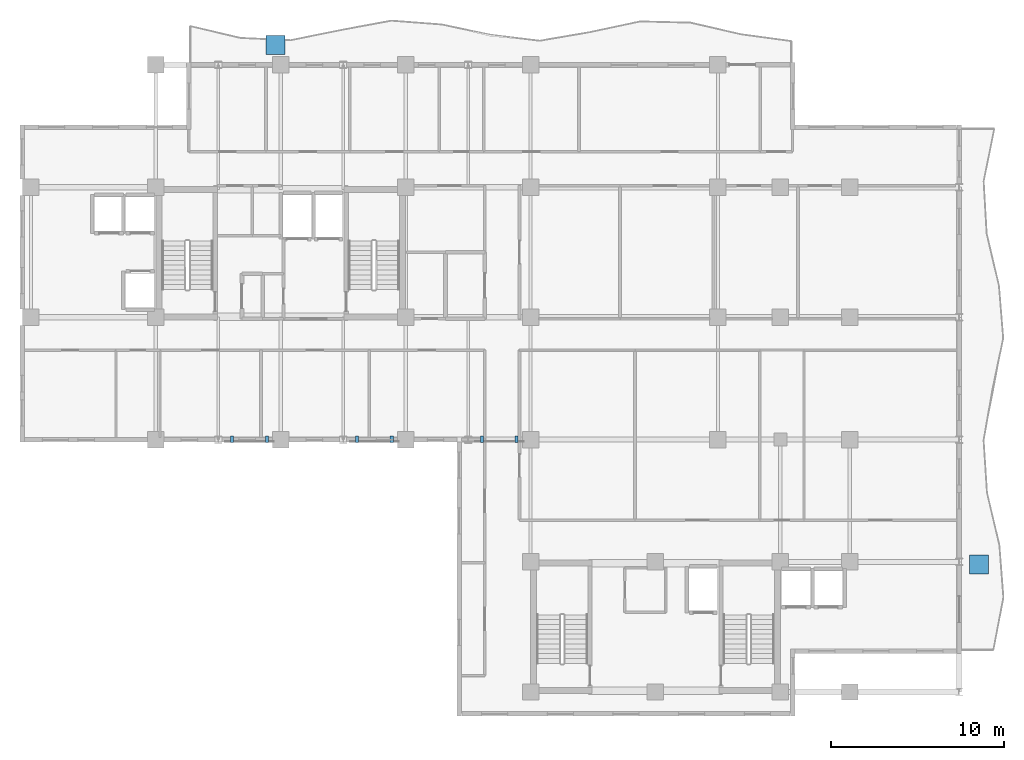
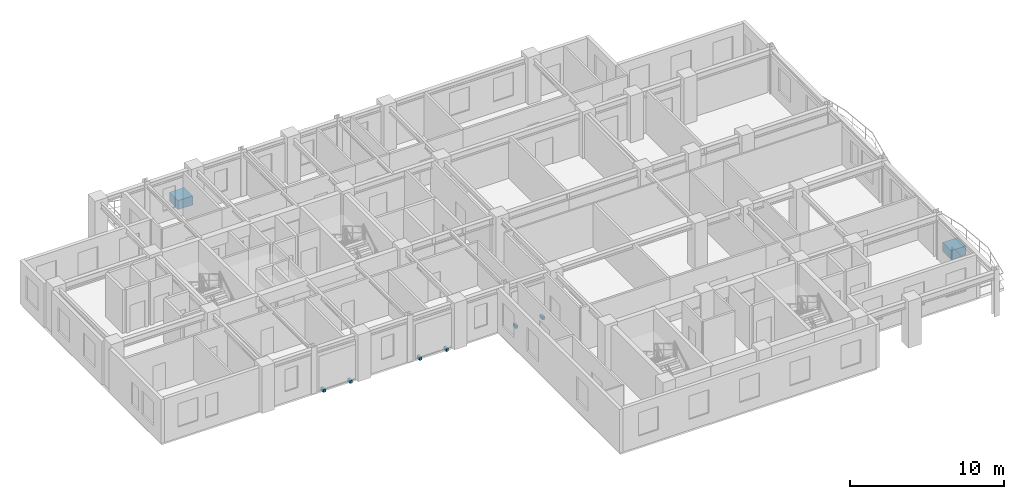
# One storey, part 11 of 14: 8 discrete accessories.
"""IFC4 building model written with IfcOpenShell, lengths in metres."""

from ifc_helpers import new_model, si_unit, direction, frame, origin, origin_2d, place, context, subcontext, project, spatial, rectangle, extrude, source, transform, mapped, material, type_object, element, save


model = new_model("IFC4")

# Units and contexts
model_context = context("Model", 3, precision=1e-05, world=origin(), true_north=direction((0.0, 1.0)))
body_context = subcontext(model_context, "Body", "Model", "MODEL_VIEW")
ifc_project = project(units=[si_unit("LENGTHUNIT", "METRE"), si_unit("AREAUNIT", "SQUARE_METRE"), si_unit("VOLUMEUNIT", "CUBIC_METRE"), si_unit("PLANEANGLEUNIT", "RADIAN"), si_unit("MASSUNIT", "GRAM", prefix="KILO")], contexts=[model_context])

# Site, building, storey
site_placement = place(None, origin())
site = spatial("IfcSite", under=ifc_project, at=site_placement, CompositionType="ELEMENT")
building_placement = place(site_placement, origin())
building = spatial("IfcBuilding", under=site, at=building_placement, Name="Kaliganga Portal Commons", CompositionType="ELEMENT")
storey_placement = place(building_placement, frame((0.0, 0.0, 227.699951171875)))
storey = spatial("IfcBuildingStorey", under=building, at=storey_placement, Name="L58", CompositionType="ELEMENT", Elevation=227.699951171875)

# Discrete accessories
ifc_material_1 = material(Name="Precast concrete C40/50", Category="concrete")
discrete_accessory_type_1 = type_object("IfcDiscreteAccessoryType", Name="DAC-PLANTER-RC", PredefinedType="USERDEFINED", material=ifc_material_1)
shared_shape_1 = source(origin(), body_context, "Body", "SweptSolid", [
    extrude(rectangle(XDim=1.10009765625, YDim=1.10009765625, at=origin_2d()), origin(), (0.0, 0.0, 1.0), 0.719970703125),
])
for number, where, z_axis, x_axis, name in (
    (1, (21.300048828125, 44.35009765625, 0.0), (0.0, 0.0, 1.0), (1.0, 0.0, 0.0), "Structural Tree Planter L58 balc_north"),
    (2, (61.85009765625, 14.39990234375, 0.0), (0.0, 0.0, 1.0), (1.0, 0.0, 0.0), "Structural Tree Planter L58 balc_east"),
):
    element("IfcDiscreteAccessory", number, at=place(storey_placement, frame(where, z_axis=z_axis, x_axis=x_axis)), inside=storey, type_object=discrete_accessory_type_1, Name=name, ObjectType="PLANTER", PredefinedType="USERDEFINED", context=body_context, shape_type="MappedRepresentation", body=[
        mapped(shared_shape_1, transform((0.0, 0.0, 0.0), x_axis=(1.0, 0.0, 0.0), y_axis=(0.0, 1.0, 0.0), z_axis=(0.0, 0.0, 1.0), scale=1.0)),
    ])
ifc_material_2 = material(Name="Structural steel S355J2", Category="steel")
discrete_accessory_type_2 = type_object("IfcDiscreteAccessoryType", Name="DAC-BRK-SCR", PredefinedType="BRACKET", material=ifc_material_2)
shared_shape_2 = source(origin(), body_context, "Body", "SweptSolid", [
    extrude(rectangle(XDim=0.179931640625, YDim=0.360107421875, at=origin_2d()), origin(), (0.0, 0.0, 1.0), 0.219970703125),
])
for number, where, z_axis, x_axis, name in (
    (3, (18.800048828125, 21.6201171875, -0.18994140625), (0.0, 0.0, 1.0), (1.0, 0.0, 0.0), "Solar Screen Outrigger Bracket L58-S1-1"),
    (4, (20.800048828125, 21.6201171875, -0.18994140625), (0.0, 0.0, 1.0), (1.0, 0.0, 0.0), "Solar Screen Outrigger Bracket L58-S1-2"),
    (5, (26.0, 21.6201171875, -0.18994140625), (0.0, 0.0, 1.0), (1.0, 0.0, 0.0), "Solar Screen Outrigger Bracket L58-S2-1"),
    (6, (28.0, 21.6201171875, -0.18994140625), (0.0, 0.0, 1.0), (1.0, 0.0, 0.0), "Solar Screen Outrigger Bracket L58-S2-2"),
    (7, (33.199951171875, 21.6201171875, -0.18994140625), (0.0, 0.0, 1.0), (1.0, 0.0, 0.0), "Solar Screen Outrigger Bracket L58-S3-1"),
    (8, (35.199951171875, 21.6201171875, -0.18994140625), (0.0, 0.0, 1.0), (1.0, 0.0, 0.0), "Solar Screen Outrigger Bracket L58-S3-2"),
):
    element("IfcDiscreteAccessory", number, at=place(storey_placement, frame(where, z_axis=z_axis, x_axis=x_axis)), inside=storey, type_object=discrete_accessory_type_2, Name=name, PredefinedType="BRACKET", context=body_context, shape_type="MappedRepresentation", body=[
        mapped(shared_shape_2, transform((0.0, 0.0, 0.0), x_axis=(1.0, 0.0, 0.0), y_axis=(0.0, 1.0, 0.0), z_axis=(0.0, 0.0, 1.0), scale=1.0)),
    ])

save(model, "model.ifc")
